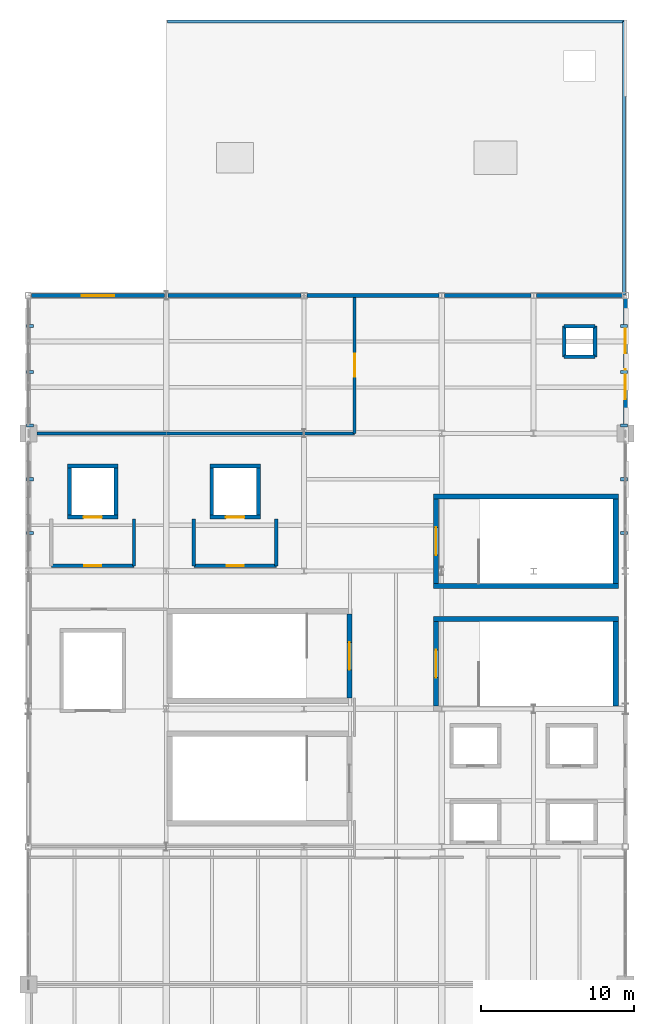
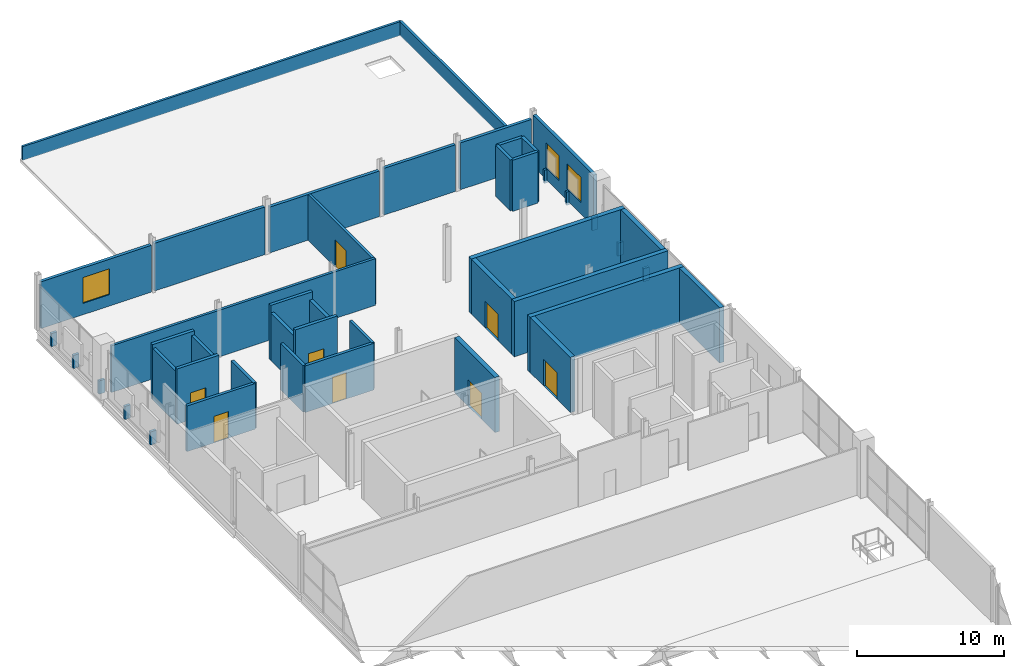
# One storey, part 26 of 29: 35 walls, 10 discrete accessories, 8 doors, 3 windows, 11 openings.
"""IFC4 building model written with IfcOpenShell, lengths in metres."""

from ifc_helpers import new_model, si_unit, direction, frame, frame_2d, origin, origin_2d, place, context, subcontext, project, spatial, rectangle, extrude, material, layer, layer_set, type_object, element, fill, save


model = new_model("IFC4")

# Units and contexts
model_context = context("Model", 3, precision=1e-05, world=origin(), true_north=direction((0.0, 1.0)))
body_context = subcontext(model_context, "Body", "Model", "MODEL_VIEW")
ifc_project = project(units=[si_unit("LENGTHUNIT", "METRE"), si_unit("AREAUNIT", "SQUARE_METRE"), si_unit("VOLUMEUNIT", "CUBIC_METRE"), si_unit("PLANEANGLEUNIT", "RADIAN"), si_unit("MASSUNIT", "GRAM", prefix="KILO")], contexts=[model_context])

# Site, building, storey
site_placement = place(None, origin())
site = spatial("IfcSite", under=ifc_project, at=site_placement, CompositionType="ELEMENT")
building_placement = place(site_placement, origin())
building = spatial("IfcBuilding", under=site, at=building_placement, Name="Qamarlyn Nura Convention Centre", CompositionType="ELEMENT")
storey_placement = place(building_placement, frame((0.0, 0.0, 25.199951171875)))
storey = spatial("IfcBuildingStorey", under=building, at=storey_placement, Name="L05", CompositionType="ELEMENT", Elevation=25.199951171875)

# Wall, opening, door
ifc_material_1 = material(Name="Fire-rated acoustic gypsum board and mineral wool EI 120")
ifc_layer_1 = layer(ifc_material_1, 0.219970703125, Name="WT-COMP-220")
ifc_layer_set_1 = layer_set([ifc_layer_1], Name="Fire-rated acoustic gypsum board and mineral wool EI 120")
wall_type_1 = type_object("IfcWallType", Name="WT-COMP-220", PredefinedType="SOLIDWALL", material=ifc_layer_set_1)
wall_1_placement = place(storey_placement, frame((154.5, 72.35009765625, 0.0), z_axis=(0.0, 0.0, 1.0), x_axis=(1.0, 0.0, 0.0)))
wall_1 = element("IfcWall", 1, at=wall_1_placement, inside=storey, type_object=wall_type_1, Name="L05 firefighting lobby barrier wall FFL-03-OPP", PredefinedType="SOLIDWALL", context=body_context, shape_type="SweptSolid", body=[
    extrude(rectangle(XDim=5.39990234375, YDim=0.219970703125, at=frame_2d((2.699951171875, 0.0))), origin(), (0.0, 0.0, 1.0), 3.80712890625),
])
opening_1_placement = place(wall_1_placement, frame((2.139892578125, 0.0, 0.0)))
opening_1 = element("IfcOpeningElement", 2, at=opening_1_placement, cuts=wall_1, Name="Opening DF-123", PredefinedType="OPENING", context=body_context, shape_type="SweptSolid", body=[
    extrude(rectangle(XDim=1.1201171875, YDim=2.199951171875, at=frame_2d((0.56005859375, 1.10009765625))), frame((0.0, 0.1201171875, 0.0), z_axis=(0.0, -1.0, 0.0), x_axis=(1.0, 0.0, 0.0)), (0.0, 0.0, 1.0), 0.239990234375),
])
ifc_material_2 = material(Name="Galvanised fire-rated hollow steel door", Category="steel")
door_type_1 = type_object("IfcDoorType", Name="DR-FFL-1120", OperationType="NOTDEFINED", PredefinedType="DOOR", material=ifc_material_2)
door_1_placement = place(opening_1_placement, origin())
door_1 = element("IfcDoor", 3, at=door_1_placement, inside=storey, type_object=door_type_1, Name="L05 firefighting lobby door FFL-03 (DF-123)", OperationType="SINGLE_SWING_LEFT", OverallHeight=2.199951171875, OverallWidth=1.1201171875, PredefinedType="DOOR", context=body_context, shape_type="SweptSolid", body=[
    extrude(rectangle(XDim=1.1201171875, YDim=2.199951171875, at=frame_2d((0.56005859375, 1.10009765625))), frame((0.0, 0.02490234375, 0.0), z_axis=(0.0, -1.0, 0.0), x_axis=(1.0, 0.0, 0.0)), (0.0, 0.0, 1.0), 0.050048828125),
])
fill(opening_1, door_1)

# Wall
wall_2_placement = place(storey_placement, frame((159.89990234375, 72.35009765625, 0.0), z_axis=(0.0, 0.0, 1.0), x_axis=(0.0, 1.0, 0.0)))
element("IfcWall", 4, at=wall_2_placement, inside=storey, type_object=wall_type_1, Name="L05 firefighting lobby barrier wall FFL-03-E", PredefinedType="SOLIDWALL", context=body_context, shape_type="SweptSolid", body=[
    extrude(rectangle(XDim=3.0498046875, YDim=0.219970703125, at=frame_2d((1.52490234375, 0.0))), origin(), (0.0, 0.0, 1.0), 3.80712890625),
])

# Wall, opening, door
wall_3_placement = place(storey_placement, frame((163.800048828125, 72.35009765625, 0.0), z_axis=(0.0, 0.0, 1.0), x_axis=(1.0, 0.0, 0.0)))
wall_3 = element("IfcWall", 5, at=wall_3_placement, inside=storey, type_object=wall_type_1, Name="L05 firefighting lobby barrier wall FFL-04-OPP", PredefinedType="SOLIDWALL", context=body_context, shape_type="SweptSolid", body=[
    extrude(rectangle(XDim=5.39990234375, YDim=0.219970703125, at=frame_2d((2.699951171875, 0.0))), origin(), (0.0, 0.0, 1.0), 3.885009765625),
])
opening_2_placement = place(wall_3_placement, frame((2.139892578125, 0.0, 0.0)))
opening_2 = element("IfcOpeningElement", 6, at=opening_2_placement, cuts=wall_3, Name="Opening DF-130", PredefinedType="OPENING", context=body_context, shape_type="SweptSolid", body=[
    extrude(rectangle(XDim=1.1201171875, YDim=2.199951171875, at=frame_2d((0.56005859375, 1.10009765625))), frame((0.0, 0.1201171875, 0.0), z_axis=(0.0, -1.0, 0.0), x_axis=(1.0, 0.0, 0.0)), (0.0, 0.0, 1.0), 0.239990234375),
])
door_2_placement = place(opening_2_placement, origin())
door_2 = element("IfcDoor", 7, at=door_2_placement, inside=storey, type_object=door_type_1, Name="L05 firefighting lobby door FFL-04 (DF-130)", OperationType="SINGLE_SWING_RIGHT", OverallHeight=2.199951171875, OverallWidth=1.1201171875, PredefinedType="DOOR", context=body_context, shape_type="SweptSolid", body=[
    extrude(rectangle(XDim=1.1201171875, YDim=2.199951171875, at=frame_2d((0.56005859375, 1.10009765625))), frame((0.0, 0.02490234375, 0.0), z_axis=(0.0, -1.0, 0.0), x_axis=(1.0, 0.0, 0.0)), (0.0, 0.0, 1.0), 0.050048828125),
])
fill(opening_2, door_2)

# Walls
for number, where, z_axis, x_axis, name in (
    (8, (163.800048828125, 72.35009765625, 0.0), (0.0, 0.0, 1.0), (0.0, 1.0, 0.0), "L05 firefighting lobby barrier wall FFL-04-W"),
    (9, (169.199951171875, 72.35009765625, 0.0), (0.0, 0.0, 1.0), (0.0, 1.0, 0.0), "L05 firefighting lobby barrier wall FFL-04-E"),
):
    element("IfcWall", number, at=place(storey_placement, frame(where, z_axis=z_axis, x_axis=x_axis)), inside=storey, type_object=wall_type_1, Name=name, PredefinedType="SOLIDWALL", context=body_context, shape_type="SweptSolid", body=[
        extrude(rectangle(XDim=3.0498046875, YDim=0.219970703125, at=frame_2d((1.52490234375, 0.0))), origin(), (0.0, 0.0, 1.0), 3.885009765625),
    ])

# Wall, opening, door
ifc_material_3 = material(Name="Concrete C50/60", Category="concrete")
ifc_layer_2 = layer(ifc_material_3, 0.35009765625, Name="WT-CORE-350")
ifc_layer_set_2 = layer_set([ifc_layer_2], Name="Concrete C50/60")
wall_type_2 = type_object("IfcWallType", Name="WT-CORE-350", PredefinedType="SHEAR", material=ifc_layer_set_2)
wall_4_placement = place(storey_placement, frame((173.97509765625, 63.699951171875, 0.0), z_axis=(0.0, 0.0, 1.0), x_axis=(0.0, 1.0, 0.0)))
wall_4 = element("IfcWall", 10, at=wall_4_placement, inside=storey, type_object=wall_type_2, Name="L05 stair core shear wall ST-12-E", PredefinedType="SHEAR", context=body_context, shape_type="SweptSolid", body=[
    extrude(rectangle(XDim=5.5, YDim=0.35009765625, at=frame_2d((2.75, 0.0))), origin(), (0.0, 0.0, 1.0), 4.594970703125),
])
opening_3_placement = place(wall_4_placement, frame((1.85009765625, 0.0, 0.0)))
opening_3 = element("IfcOpeningElement", 11, at=opening_3_placement, cuts=wall_4, Name="Opening DS-056", PredefinedType="OPENING", context=body_context, shape_type="SweptSolid", body=[
    extrude(rectangle(XDim=1.800048828125, YDim=2.199951171875, at=frame_2d((0.89990234375, 1.10009765625))), frame((0.0, 0.18505859375, 0.0), z_axis=(0.0, -1.0, 0.0), x_axis=(1.0, 0.0, 0.0)), (0.0, 0.0, 1.0), 0.3701171875),
])
door_type_2 = type_object("IfcDoorType", Name="DR-STAIR-1800", OperationType="DOUBLE_DOOR_SINGLE_SWING", PredefinedType="DOOR", material=ifc_material_2)
door_3_placement = place(opening_3_placement, origin())
door_3 = element("IfcDoor", 12, at=door_3_placement, inside=storey, type_object=door_type_2, Name="L05 exit stair door ST-12 (DS-056)", OperationType="DOUBLE_DOOR_SINGLE_SWING", OverallHeight=2.199951171875, OverallWidth=1.800048828125, PredefinedType="DOOR", context=body_context, shape_type="SweptSolid", body=[
    extrude(rectangle(XDim=1.800048828125, YDim=2.199951171875, at=frame_2d((0.89990234375, 1.10009765625))), frame((0.0, 0.02490234375, 0.0), z_axis=(0.0, -1.0, 0.0), x_axis=(1.0, 0.0, 0.0)), (0.0, 0.0, 1.0), 0.050048828125),
])
fill(opening_3, door_3)

# Wall
wall_5_placement = place(storey_placement, frame((191.550048828125, 68.875, 0.0), z_axis=(0.0, 0.0, 1.0), x_axis=(-1.0, 0.0, 0.0)))
element("IfcWall", 13, at=wall_5_placement, inside=storey, type_object=wall_type_2, Name="L05 stair core shear wall ST-13-N", PredefinedType="SHEAR", context=body_context, shape_type="SweptSolid", body=[
    extrude(rectangle(XDim=12.10009765625, YDim=0.35009765625, at=frame_2d((6.050048828125, 0.0))), origin(), (0.0, 0.0, 1.0), 4.594970703125),
])

# Wall, opening, door
wall_6_placement = place(storey_placement, frame((179.625, 68.699951171875, 0.0), z_axis=(0.0, 0.0, 1.0), x_axis=(0.0, -1.0, 0.0)))
wall_6 = element("IfcWall", 14, at=wall_6_placement, inside=storey, type_object=wall_type_2, Name="L05 stair core shear wall ST-13-W", PredefinedType="SHEAR", context=body_context, shape_type="SweptSolid", body=[
    extrude(rectangle(XDim=5.5, YDim=0.35009765625, at=frame_2d((2.75, 0.0))), origin(), (0.0, 0.0, 1.0), 4.594970703125),
])
opening_4_placement = place(wall_6_placement, frame((1.85009765625, 0.0, 0.0)))
opening_4 = element("IfcOpeningElement", 15, at=opening_4_placement, cuts=wall_6, Name="Opening DS-063", PredefinedType="OPENING", context=body_context, shape_type="SweptSolid", body=[
    extrude(rectangle(XDim=1.800048828125, YDim=2.199951171875, at=frame_2d((0.89990234375, 1.10009765625))), frame((0.0, 0.18505859375, 0.0), z_axis=(0.0, -1.0, 0.0), x_axis=(1.0, 0.0, 0.0)), (0.0, 0.0, 1.0), 0.3701171875),
])
door_4_placement = place(opening_4_placement, origin())
door_4 = element("IfcDoor", 16, at=door_4_placement, inside=storey, type_object=door_type_2, Name="L05 exit stair door ST-13 (DS-063)", OperationType="DOUBLE_DOOR_SINGLE_SWING", OverallHeight=2.199951171875, OverallWidth=1.800048828125, PredefinedType="DOOR", context=body_context, shape_type="SweptSolid", body=[
    extrude(rectangle(XDim=1.800048828125, YDim=2.199951171875, at=frame_2d((0.89990234375, 1.10009765625))), frame((0.0, 0.02490234375, 0.0), z_axis=(0.0, -1.0, 0.0), x_axis=(1.0, 0.0, 0.0)), (0.0, 0.0, 1.0), 0.050048828125),
])
fill(opening_4, door_4)

# Walls
wall_7_placement = place(storey_placement, frame((191.375, 63.199951171875, 0.0), z_axis=(0.0, 0.0, 1.0), x_axis=(0.0, 1.0, 0.0)))
element("IfcWall", 17, at=wall_7_placement, inside=storey, type_object=wall_type_2, Name="L05 stair core shear wall ST-13-E", PredefinedType="SHEAR", context=body_context, shape_type="SweptSolid", body=[
    extrude(rectangle(XDim=5.5, YDim=0.35009765625, at=frame_2d((2.75, 0.0))), origin(), (0.0, 0.0, 1.0), 4.594970703125),
])
for number, where, z_axis, x_axis, name in (
    (18, (179.449951171875, 71.02490234375, 0.0), (0.0, 0.0, 1.0), (1.0, 0.0, 0.0), "L05 stair core shear wall ST-14-S"),
    (19, (191.550048828125, 76.875, 0.0), (0.0, 0.0, 1.0), (-1.0, 0.0, 0.0), "L05 stair core shear wall ST-14-N"),
):
    element("IfcWall", number, at=place(storey_placement, frame(where, z_axis=z_axis, x_axis=x_axis)), inside=storey, type_object=wall_type_2, Name=name, PredefinedType="SHEAR", context=body_context, shape_type="SweptSolid", body=[
        extrude(rectangle(XDim=12.10009765625, YDim=0.35009765625, at=frame_2d((6.050048828125, 0.0))), origin(), (0.0, 0.0, 1.0), 4.594970703125),
    ])

# Wall, opening, door
wall_8_placement = place(storey_placement, frame((179.625, 76.699951171875, 0.0), z_axis=(0.0, 0.0, 1.0), x_axis=(0.0, -1.0, 0.0)))
wall_8 = element("IfcWall", 20, at=wall_8_placement, inside=storey, type_object=wall_type_2, Name="L05 stair core shear wall ST-14-W", PredefinedType="SHEAR", context=body_context, shape_type="SweptSolid", body=[
    extrude(rectangle(XDim=5.5, YDim=0.35009765625, at=frame_2d((2.75, 0.0))), origin(), (0.0, 0.0, 1.0), 4.594970703125),
])
opening_5_placement = place(wall_8_placement, frame((1.85009765625, 0.0, 0.0)))
opening_5 = element("IfcOpeningElement", 21, at=opening_5_placement, cuts=wall_8, Name="Opening DS-070", PredefinedType="OPENING", context=body_context, shape_type="SweptSolid", body=[
    extrude(rectangle(XDim=1.800048828125, YDim=2.199951171875, at=frame_2d((0.89990234375, 1.10009765625))), frame((0.0, 0.18505859375, 0.0), z_axis=(0.0, -1.0, 0.0), x_axis=(1.0, 0.0, 0.0)), (0.0, 0.0, 1.0), 0.3701171875),
])
door_5_placement = place(opening_5_placement, origin())
door_5 = element("IfcDoor", 22, at=door_5_placement, inside=storey, type_object=door_type_2, Name="L05 exit stair door ST-14 (DS-070)", OperationType="DOUBLE_DOOR_SINGLE_SWING", OverallHeight=2.199951171875, OverallWidth=1.800048828125, PredefinedType="DOOR", context=body_context, shape_type="SweptSolid", body=[
    extrude(rectangle(XDim=1.800048828125, YDim=2.199951171875, at=frame_2d((0.89990234375, 1.10009765625))), frame((0.0, 0.02490234375, 0.0), z_axis=(0.0, -1.0, 0.0), x_axis=(1.0, 0.0, 0.0)), (0.0, 0.0, 1.0), 0.050048828125),
])
fill(opening_5, door_5)

# Wall
wall_9_placement = place(storey_placement, frame((191.375, 71.199951171875, 0.0), z_axis=(0.0, 0.0, 1.0), x_axis=(0.0, 1.0, 0.0)))
element("IfcWall", 23, at=wall_9_placement, inside=storey, type_object=wall_type_2, Name="L05 stair core shear wall ST-14-E", PredefinedType="SHEAR", context=body_context, shape_type="SweptSolid", body=[
    extrude(rectangle(XDim=5.5, YDim=0.35009765625, at=frame_2d((2.75, 0.0))), origin(), (0.0, 0.0, 1.0), 4.594970703125),
])

# Wall, opening, window
ifc_material_4 = material(Name="Concrete C40/50", Category="concrete")
ifc_layer_3 = layer(ifc_material_4, 0.239990234375, Name="WT-EXT-240")
ifc_layer_set_3 = layer_set([ifc_layer_3], Name="Concrete C40/50")
wall_type_3 = type_object("IfcWallType", Name="WT-EXT-240", PredefinedType="SOLIDWALL", material=ifc_layer_set_3)
wall_10_placement = place(storey_placement, frame((153.199951171875, 90.0, 0.0), z_axis=(0.0, 0.0, 1.0), x_axis=(1.0, 0.0, 0.0)))
wall_10 = element("IfcWall", 24, at=wall_10_placement, inside=storey, type_object=wall_type_3, Name="L05 exterior facade wall WEXT-L05-1532-900-1619-900", PredefinedType="SOLIDWALL", context=body_context, shape_type="SweptSolid", body=[
    extrude(rectangle(XDim=8.694580078125, YDim=0.239990234375, at=frame_2d((4.34716796875, 0.0))), origin(), (0.0, 0.0, 1.0), 3.89599609375),
])
opening_6_placement = place(wall_10_placement, frame((3.29736328125, 0.0, 0.949951171875)))
opening_6 = element("IfcOpeningElement", 25, at=opening_6_placement, cuts=wall_10, Name="Opening WN17", PredefinedType="OPENING", context=body_context, shape_type="SweptSolid", body=[
    extrude(rectangle(XDim=2.10009765625, YDim=2.14990234375, at=frame_2d((1.050048828125, 1.074951171875))), frame((0.0, 0.1298828125, 0.0), z_axis=(0.0, -1.0, 0.0), x_axis=(1.0, 0.0, 0.0)), (0.0, 0.0, 1.0), 0.260009765625),
])
ifc_material_5 = material(Name="Double-silver low-E insulated glass", Category="glass")
window_type_1 = type_object("IfcWindowType", Name="WIN-SOL-17", PartitioningType="SINGLE_PANEL", PredefinedType="WINDOW", material=ifc_material_5)
window_1_placement = place(opening_6_placement, origin())
window_1 = element("IfcWindow", 26, at=window_1_placement, inside=storey, type_object=window_type_1, Name="L05 solar-control window 065", OverallHeight=2.14990234375, OverallWidth=2.10009765625, PartitioningType="SINGLE_PANEL", PredefinedType="WINDOW", context=body_context, shape_type="SweptSolid", body=[
    extrude(rectangle(XDim=2.10009765625, YDim=2.14990234375, at=frame_2d((1.050048828125, 1.074951171875))), frame((0.0, 0.030029296875, 0.0), z_axis=(0.0, -1.0, 0.0), x_axis=(1.0, 0.0, 0.0)), (0.0, 0.0, 1.0), 0.06005859375),
])
fill(opening_6, window_1)

# Walls
wall_11_placement = place(storey_placement, frame((162.10546875, 90.0, 0.0), z_axis=(0.0, 0.0, 1.0), x_axis=(1.0, 0.0, 0.0)))
element("IfcWall", 27, at=wall_11_placement, inside=storey, type_object=wall_type_3, Name="L05 exterior facade wall WEXT-L05-1621-900-1708-900", PredefinedType="SOLIDWALL", context=body_context, shape_type="SweptSolid", body=[
    extrude(rectangle(XDim=8.695068359375, YDim=0.239990234375, at=frame_2d((4.34765625, 0.0))), origin(), (0.0, 0.0, 1.0), 3.968994140625),
])
wall_12_placement = place(storey_placement, frame((171.199462890625, 90.0, 0.0), z_axis=(0.0, 0.0, 1.0), x_axis=(1.0, 0.0, 0.0)))
element("IfcWall", 28, at=wall_12_placement, inside=storey, type_object=wall_type_3, Name="L05 exterior facade wall WEXT-L05-1712-900-1798-900", PredefinedType="SOLIDWALL", context=body_context, shape_type="SweptSolid", body=[
    extrude(rectangle(XDim=8.613525390625, YDim=0.239990234375, at=frame_2d((4.306640625, 0.0))), origin(), (0.0, 0.0, 1.0), 3.80712890625),
])
wall_13_placement = place(storey_placement, frame((180.18701171875, 90.0, 0.0), z_axis=(0.0, 0.0, 1.0), x_axis=(1.0, 0.0, 0.0)))
element("IfcWall", 29, at=wall_13_placement, inside=storey, type_object=wall_type_3, Name="L05 exterior facade wall WEXT-L05-1802-900-1858-900", PredefinedType="SOLIDWALL", context=body_context, shape_type="SweptSolid", body=[
    extrude(rectangle(XDim=5.62841796875, YDim=0.239990234375, at=frame_2d((2.814208984375, 0.0))), origin(), (0.0, 0.0, 1.0), 3.885009765625),
])
wall_14_placement = place(storey_placement, frame((186.1845703125, 90.0, 0.0), z_axis=(0.0, 0.0, 1.0), x_axis=(1.0, 0.0, 0.0)))
element("IfcWall", 30, at=wall_14_placement, inside=storey, type_object=wall_type_3, Name="L05 exterior facade wall WEXT-L05-1862-900-1918-900", PredefinedType="SOLIDWALL", context=body_context, shape_type="SweptSolid", body=[
    extrude(rectangle(XDim=5.615478515625, YDim=0.239990234375, at=frame_2d((2.8076171875, 0.0))), origin(), (0.0, 0.0, 1.0), 3.89599609375),
])

# Wall, openings, windows
ifc_layer_4 = layer(ifc_material_4, 0.260009765625, Name="WT-EXT-260")
ifc_layer_set_4 = layer_set([ifc_layer_4], Name="Concrete C40/50")
wall_type_4 = type_object("IfcWallType", Name="WT-EXT-260", PredefinedType="SOLIDWALL", material=ifc_layer_set_4)
wall_15_placement = place(storey_placement, frame((192.0, 89.800048828125, 0.0), z_axis=(0.0, 0.0, 1.0), x_axis=(0.0, -1.0, 0.0)))
wall_15 = element("IfcWall", 31, at=wall_15_placement, inside=storey, type_object=wall_type_4, Name="L05 exterior facade wall WEXT-L05-1920-898-1920-816", PredefinedType="SOLIDWALL", context=body_context, shape_type="SweptSolid", body=[
    extrude(rectangle(XDim=8.25, YDim=0.260009765625, at=frame_2d((4.125, 0.0))), origin(), (0.0, 0.0, 1.0), 4.280029296875),
])
opening_7_placement = place(wall_15_placement, frame((1.762451171875, 0.0, 0.949951171875)))
opening_7 = element("IfcOpeningElement", 32, at=opening_7_placement, cuts=wall_15, Name="Opening WN15", PredefinedType="OPENING", context=body_context, shape_type="SweptSolid", body=[
    extrude(rectangle(XDim=1.800048828125, YDim=2.10009765625, at=frame_2d((0.89990234375, 1.050048828125))), frame((0.0, 0.14013671875, 0.0), z_axis=(0.0, -1.0, 0.0), x_axis=(1.0, 0.0, 0.0)), (0.0, 0.0, 1.0), 0.280029296875),
])
opening_8_placement = place(wall_15_placement, frame((4.612548828125, 0.0, 0.949951171875)))
opening_8 = element("IfcOpeningElement", 33, at=opening_8_placement, cuts=wall_15, Name="Opening WN16", PredefinedType="OPENING", context=body_context, shape_type="SweptSolid", body=[
    extrude(rectangle(XDim=1.949951171875, YDim=2.10009765625, at=frame_2d((0.97509765625, 1.050048828125))), frame((0.0, 0.14013671875, 0.0), z_axis=(0.0, -1.0, 0.0), x_axis=(1.0, 0.0, 0.0)), (0.0, 0.0, 1.0), 0.280029296875),
])
window_type_2 = type_object("IfcWindowType", Name="WIN-SOL-15", PartitioningType="SINGLE_PANEL", PredefinedType="WINDOW", material=ifc_material_5)
window_2_placement = place(opening_7_placement, origin())
window_2 = element("IfcWindow", 34, at=window_2_placement, inside=storey, type_object=window_type_2, Name="L05 solar-control window 063", OverallHeight=2.10009765625, OverallWidth=1.800048828125, PartitioningType="SINGLE_PANEL", PredefinedType="WINDOW", context=body_context, shape_type="SweptSolid", body=[
    extrude(rectangle(XDim=1.800048828125, YDim=2.10009765625, at=frame_2d((0.89990234375, 1.050048828125))), frame((0.0, 0.030029296875, 0.0), z_axis=(0.0, -1.0, 0.0), x_axis=(1.0, 0.0, 0.0)), (0.0, 0.0, 1.0), 0.06005859375),
])
fill(opening_7, window_2)
window_type_3 = type_object("IfcWindowType", Name="WIN-SOL-16", PartitioningType="SINGLE_PANEL", PredefinedType="WINDOW", material=ifc_material_5)
window_3_placement = place(opening_8_placement, origin())
window_3 = element("IfcWindow", 35, at=window_3_placement, inside=storey, type_object=window_type_3, Name="L05 solar-control window 064", OverallHeight=2.10009765625, OverallWidth=1.949951171875, PartitioningType="SINGLE_PANEL", PredefinedType="WINDOW", context=body_context, shape_type="SweptSolid", body=[
    extrude(rectangle(XDim=1.949951171875, YDim=2.10009765625, at=frame_2d((0.97509765625, 1.050048828125))), frame((0.0, 0.030029296875, 0.0), z_axis=(0.0, -1.0, 0.0), x_axis=(1.0, 0.0, 0.0)), (0.0, 0.0, 1.0), 0.06005859375),
])
fill(opening_8, window_3)

# Walls
ifc_layer_5 = layer(ifc_material_4, 0.18505859375, Name="WT-PAR-185")
ifc_layer_set_5 = layer_set([ifc_layer_5], Name="Concrete C40/50")
wall_type_5 = type_object("IfcWallType", Name="WT-PAR-185", PredefinedType="PARAPET", material=ifc_layer_set_5)
wall_16_placement = place(storey_placement, frame((191.89990234375, 107.89990234375, 0.0), z_axis=(0.0, 0.0, 1.0), x_axis=(-1.0, 0.0, 0.0)))
element("IfcWall", 36, at=wall_16_placement, inside=storey, type_object=wall_type_5, Name="L05 roof parapet wall 06", PredefinedType="PARAPET", context=body_context, shape_type="SweptSolid", body=[
    extrude(rectangle(XDim=29.7998046875, YDim=0.18505859375, at=frame_2d((14.89990234375, 0.0))), origin(), (0.0, 0.0, 1.0), 1.150146484375),
])
ifc_layer_6 = layer(ifc_material_4, 0.205078125, Name="WT-PAR-205")
ifc_layer_set_6 = layer_set([ifc_layer_6], Name="Concrete C40/50")
wall_type_6 = type_object("IfcWallType", Name="WT-PAR-205", PredefinedType="PARAPET", material=ifc_layer_set_6)
wall_17_placement = place(storey_placement, frame((191.89990234375, 90.050048828125, 0.0), z_axis=(0.0, 0.0, 1.0), x_axis=(0.0, 1.0, 0.0)))
element("IfcWall", 37, at=wall_17_placement, inside=storey, type_object=wall_type_6, Name="L05 roof parapet wall 05", PredefinedType="PARAPET", context=body_context, shape_type="SweptSolid", body=[
    extrude(rectangle(XDim=17.849853515625, YDim=0.205078125, at=frame_2d((8.9248046875, 0.0))), origin(), (0.0, 0.0, 1.0), 1.150146484375),
])

# Wall, opening, door
ifc_material_6 = material(Name="Fire-rated acoustic gypsum board EI 60")
ifc_layer_7 = layer(ifc_material_6, 0.199951171875, Name="WT-PART-200")
ifc_layer_set_7 = layer_set([ifc_layer_7], Name="Fire-rated acoustic gypsum board EI 60")
wall_type_7 = type_object("IfcWallType", Name="WT-PART-200", PredefinedType="PARTITIONING", material=ifc_layer_set_7)
wall_18_placement = place(storey_placement, frame((174.31005859375, 89.8798828125, 0.0), z_axis=(0.0, 0.0, 1.0), x_axis=(0.0, -1.0, 0.0)))
wall_18 = element("IfcWall", 38, at=wall_18_placement, inside=storey, type_object=wall_type_7, Name="L05 interior partition L05-PLT-AHU5-2-1", PredefinedType="PARTITIONING", context=body_context, shape_type="SweptSolid", body=[
    extrude(rectangle(XDim=8.8798828125, YDim=0.199951171875, at=frame_2d((4.43994140625, 0.0))), origin(), (0.0, 0.0, 1.0), 3.80712890625),
])
opening_9_placement = place(wall_18_placement, frame((3.68994140625, 0.0, 0.0)))
opening_9 = element("IfcOpeningElement", 39, at=opening_9_placement, cuts=wall_18, Name="Opening D-L05-220", PredefinedType="OPENING", context=body_context, shape_type="SweptSolid", body=[
    extrude(rectangle(XDim=1.5, YDim=2.25, at=frame_2d((0.75, 1.125))), frame((0.0, 0.10986328125, 0.0), z_axis=(0.0, -1.0, 0.0), x_axis=(1.0, 0.0, 0.0)), (0.0, 0.0, 1.0), 0.219970703125),
])
door_type_3 = type_object("IfcDoorType", Name="DR-PLANT-1500", OperationType="DOUBLE_DOOR_SINGLE_SWING", PredefinedType="DOOR", material=ifc_material_2)
door_6_placement = place(opening_9_placement, origin())
door_6 = element("IfcDoor", 40, at=door_6_placement, inside=storey, type_object=door_type_3, Name="L05 AHU and Smoke Extract Plant door D-L05-220", OperationType="DOUBLE_DOOR_SINGLE_SWING", OverallHeight=2.25, OverallWidth=1.5, PredefinedType="DOOR", context=body_context, shape_type="SweptSolid", body=[
    extrude(rectangle(XDim=1.5, YDim=2.25, at=frame_2d((0.75, 1.125))), frame((0.0, 0.02490234375, 0.0), z_axis=(0.0, -1.0, 0.0), x_axis=(1.0, 0.0, 0.0)), (0.0, 0.0, 1.0), 0.050048828125),
])
fill(opening_9, door_6)

# Wall
wall_19_placement = place(storey_placement, frame((174.31005859375, 81.0, 0.0), z_axis=(0.0, 0.0, 1.0), x_axis=(-1.0, 0.0, 0.0)))
element("IfcWall", 41, at=wall_19_placement, inside=storey, type_object=wall_type_7, Name="L05 interior partition L05-PLT-AHU5-3-1", PredefinedType="PARTITIONING", context=body_context, shape_type="SweptSolid", body=[
    extrude(rectangle(XDim=20.75, YDim=0.199951171875, at=frame_2d((10.375, 0.0))), origin(), (0.0, 0.0, 1.0), 3.885009765625),
])

# Wall, opening, door
ifc_layer_8 = layer(ifc_material_1, 0.25, Name="WT-SHAFT-250")
ifc_layer_set_8 = layer_set([ifc_layer_8], Name="Fire-rated acoustic gypsum board and mineral wool EI 120")
wall_type_8 = type_object("IfcWallType", Name="WT-SHAFT-250", PredefinedType="SOLIDWALL", material=ifc_layer_set_8)
wall_20_placement = place(storey_placement, frame((155.550048828125, 75.52490234375, 0.0), z_axis=(0.0, 0.0, 1.0), x_axis=(1.0, 0.0, 0.0)))
wall_20 = element("IfcWall", 42, at=wall_20_placement, inside=storey, type_object=wall_type_8, Name="L05 lift shaft enclosure wall FFL-03 -y", PredefinedType="SOLIDWALL", context=body_context, shape_type="SweptSolid", body=[
    extrude(rectangle(XDim=3.300048828125, YDim=0.25, at=frame_2d((1.64990234375, 0.0))), origin(), (0.0, 0.0, 1.0), 4.60009765625),
])
opening_10_placement = place(wall_20_placement, frame((1.050048828125, 0.0, 0.0)))
opening_10 = element("IfcOpeningElement", 43, at=opening_10_placement, cuts=wall_20, Name="Opening LD-FFL-03-L05", PredefinedType="OPENING", context=body_context, shape_type="SweptSolid", body=[
    extrude(rectangle(XDim=1.199951171875, YDim=2.25, at=frame_2d((0.60009765625, 1.125))), frame((0.0, 0.135009765625, 0.0), z_axis=(0.0, -1.0, 0.0), x_axis=(1.0, 0.0, 0.0)), (0.0, 0.0, 1.0), 0.27001953125),
])
ifc_material_7 = material(Name="Marine Grade 316 stainless steel", Category="steel")
door_type_4 = type_object("IfcDoorType", Name="DR-LD-FFL", OperationType="DOUBLE_DOOR_SLIDING", PredefinedType="DOOR", material=ifc_material_7)
door_7_placement = place(opening_10_placement, origin())
door_7 = element("IfcDoor", 44, at=door_7_placement, inside=storey, type_object=door_type_4, Name="Lift landing door LD-FFL-03-L05", OperationType="DOUBLE_DOOR_SLIDING", OverallHeight=2.25, OverallWidth=1.199951171875, PredefinedType="DOOR", context=body_context, shape_type="SweptSolid", body=[
    extrude(rectangle(XDim=1.199951171875, YDim=2.25, at=frame_2d((0.60009765625, 1.125))), frame((0.0, 0.02490234375, 0.0), z_axis=(0.0, -1.0, 0.0), x_axis=(1.0, 0.0, 0.0)), (0.0, 0.0, 1.0), 0.050048828125),
])
fill(opening_10, door_7)

# Walls
wall_21_placement = place(storey_placement, frame((158.85009765625, 78.875, 0.0), z_axis=(0.0, 0.0, 1.0), x_axis=(-1.0, 0.0, 0.0)))
element("IfcWall", 45, at=wall_21_placement, inside=storey, type_object=wall_type_8, Name="L05 lift shaft enclosure wall FFL-03 +y", PredefinedType="SOLIDWALL", context=body_context, shape_type="SweptSolid", body=[
    extrude(rectangle(XDim=3.300048828125, YDim=0.25, at=frame_2d((1.64990234375, 0.0))), origin(), (0.0, 0.0, 1.0), 4.60009765625),
])
for number, where, z_axis, x_axis, name in (
    (46, (155.675048828125, 78.75, 0.0), (0.0, 0.0, 1.0), (0.0, -1.0, 0.0), "L05 lift shaft enclosure wall FFL-03 -x"),
    (47, (158.72509765625, 75.64990234375, 0.0), (0.0, 0.0, 1.0), (0.0, 1.0, 0.0), "L05 lift shaft enclosure wall FFL-03 +x"),
):
    element("IfcWall", number, at=place(storey_placement, frame(where, z_axis=z_axis, x_axis=x_axis)), inside=storey, type_object=wall_type_8, Name=name, PredefinedType="SOLIDWALL", context=body_context, shape_type="SweptSolid", body=[
        extrude(rectangle(XDim=3.10009765625, YDim=0.25, at=frame_2d((1.550048828125, 0.0))), origin(), (0.0, 0.0, 1.0), 4.27197265625),
    ])

# Wall, opening, door
wall_22_placement = place(storey_placement, frame((164.85009765625, 75.52490234375, 0.0), z_axis=(0.0, 0.0, 1.0), x_axis=(1.0, 0.0, 0.0)))
wall_22 = element("IfcWall", 48, at=wall_22_placement, inside=storey, type_object=wall_type_8, Name="L05 lift shaft enclosure wall FFL-04 -y", PredefinedType="SOLIDWALL", context=body_context, shape_type="SweptSolid", body=[
    extrude(rectangle(XDim=3.2998046875, YDim=0.25, at=frame_2d((1.64990234375, 0.0))), origin(), (0.0, 0.0, 1.0), 4.60009765625),
])
opening_11_placement = place(wall_22_placement, frame((1.050048828125, 0.0, 0.0)))
opening_11 = element("IfcOpeningElement", 49, at=opening_11_placement, cuts=wall_22, Name="Opening LD-FFL-04-L05", PredefinedType="OPENING", context=body_context, shape_type="SweptSolid", body=[
    extrude(rectangle(XDim=1.199951171875, YDim=2.25, at=frame_2d((0.60009765625, 1.125))), frame((0.0, 0.135009765625, 0.0), z_axis=(0.0, -1.0, 0.0), x_axis=(1.0, 0.0, 0.0)), (0.0, 0.0, 1.0), 0.27001953125),
])
door_8_placement = place(opening_11_placement, origin())
door_8 = element("IfcDoor", 50, at=door_8_placement, inside=storey, type_object=door_type_4, Name="Lift landing door LD-FFL-04-L05", OperationType="DOUBLE_DOOR_SLIDING", OverallHeight=2.25, OverallWidth=1.199951171875, PredefinedType="DOOR", context=body_context, shape_type="SweptSolid", body=[
    extrude(rectangle(XDim=1.199951171875, YDim=2.25, at=frame_2d((0.60009765625, 1.125))), frame((0.0, 0.02490234375, 0.0), z_axis=(0.0, -1.0, 0.0), x_axis=(1.0, 0.0, 0.0)), (0.0, 0.0, 1.0), 0.050048828125),
])
fill(opening_11, door_8)

# Walls
wall_23_placement = place(storey_placement, frame((168.14990234375, 78.875, 0.0), z_axis=(0.0, 0.0, 1.0), x_axis=(-1.0, 0.0, 0.0)))
element("IfcWall", 51, at=wall_23_placement, inside=storey, type_object=wall_type_8, Name="L05 lift shaft enclosure wall FFL-04 +y", PredefinedType="SOLIDWALL", context=body_context, shape_type="SweptSolid", body=[
    extrude(rectangle(XDim=3.2998046875, YDim=0.25, at=frame_2d((1.64990234375, 0.0))), origin(), (0.0, 0.0, 1.0), 4.60009765625),
])
for number, where, z_axis, x_axis, name in (
    (52, (164.97509765625, 78.75, 0.0), (0.0, 0.0, 1.0), (0.0, -1.0, 0.0), "L05 lift shaft enclosure wall FFL-04 -x"),
    (53, (168.02490234375, 75.64990234375, 0.0), (0.0, 0.0, 1.0), (0.0, 1.0, 0.0), "L05 lift shaft enclosure wall FFL-04 +x"),
):
    element("IfcWall", number, at=place(storey_placement, frame(where, z_axis=z_axis, x_axis=x_axis)), inside=storey, type_object=wall_type_8, Name=name, PredefinedType="SOLIDWALL", context=body_context, shape_type="SweptSolid", body=[
        extrude(rectangle(XDim=3.10009765625, YDim=0.25, at=frame_2d((1.550048828125, 0.0))), origin(), (0.0, 0.0, 1.0), 3.97216796875),
    ])
for number, where, z_axis, x_axis, name in (
    (54, (188.0, 86.0, 0.0), (0.0, 0.0, 1.0), (1.0, 0.0, 0.0), "L05 MEP riser shaft wall 41-S"),
    (55, (190.0, 88.0, 0.0), (0.0, 0.0, 1.0), (-1.0, 0.0, 0.0), "L05 MEP riser shaft wall 41-N"),
    (56, (188.0, 88.0, 0.0), (0.0, 0.0, 1.0), (0.0, -1.0, 0.0), "L05 MEP riser shaft wall 41-W"),
    (57, (190.0, 86.0, 0.0), (0.0, 0.0, 1.0), (0.0, 1.0, 0.0), "L05 MEP riser shaft wall 41-E"),
):
    element("IfcWall", number, at=place(storey_placement, frame(where, z_axis=z_axis, x_axis=x_axis)), inside=storey, type_object=wall_type_8, Name=name, PredefinedType="SOLIDWALL", context=body_context, shape_type="SweptSolid", body=[
        extrude(rectangle(XDim=2.0, YDim=0.25, at=frame_2d((1.0, 0.0))), origin(), (0.0, 0.0, 1.0), 4.25),
    ])

# Discrete accessories
discrete_accessory_type = type_object("IfcDiscreteAccessoryType", Name="ACC-FIN-BRK", PredefinedType="BRACKET", material=ifc_material_7)
for number, where, z_axis, x_axis, name in (
    (58, (191.89990234375, 74.5, -0.199951171875), (0.0, 0.0, 1.0), (1.0, 0.0, 0.0), "L05 acoustic louvre support bracket E1"),
    (59, (153.10009765625, 74.5, -0.199951171875), (0.0, 0.0, 1.0), (1.0, 0.0, 0.0), "L05 acoustic louvre support bracket W1"),
    (60, (191.89990234375, 78.0, -0.199951171875), (0.0, 0.0, 1.0), (1.0, 0.0, 0.0), "L05 acoustic louvre support bracket E2"),
    (61, (153.10009765625, 78.0, -0.199951171875), (0.0, 0.0, 1.0), (1.0, 0.0, 0.0), "L05 acoustic louvre support bracket W2"),
    (62, (191.89990234375, 81.5, -0.199951171875), (0.0, 0.0, 1.0), (1.0, 0.0, 0.0), "L05 acoustic louvre support bracket E3"),
    (63, (153.10009765625, 81.5, -0.199951171875), (0.0, 0.0, 1.0), (1.0, 0.0, 0.0), "L05 acoustic louvre support bracket W3"),
    (64, (191.89990234375, 85.0, -0.199951171875), (0.0, 0.0, 1.0), (1.0, 0.0, 0.0), "L05 acoustic louvre support bracket E4"),
    (65, (153.10009765625, 85.0, -0.199951171875), (0.0, 0.0, 1.0), (1.0, 0.0, 0.0), "L05 acoustic louvre support bracket W4"),
    (66, (191.89990234375, 88.0, -0.199951171875), (0.0, 0.0, 1.0), (1.0, 0.0, 0.0), "L05 acoustic louvre support bracket E5"),
    (67, (153.10009765625, 88.0, -0.199951171875), (0.0, 0.0, 1.0), (1.0, 0.0, 0.0), "L05 acoustic louvre support bracket W5"),
):
    element("IfcDiscreteAccessory", number, at=place(storey_placement, frame(where, z_axis=z_axis, x_axis=x_axis)), inside=storey, type_object=discrete_accessory_type, Name=name, PredefinedType="BRACKET", context=body_context, shape_type="SweptSolid", body=[
        extrude(rectangle(XDim=0.449951171875, YDim=0.199951171875, at=origin_2d()), origin(), (0.0, 0.0, 1.0), 1.10009765625),
    ])

save(model, "model.ifc")
